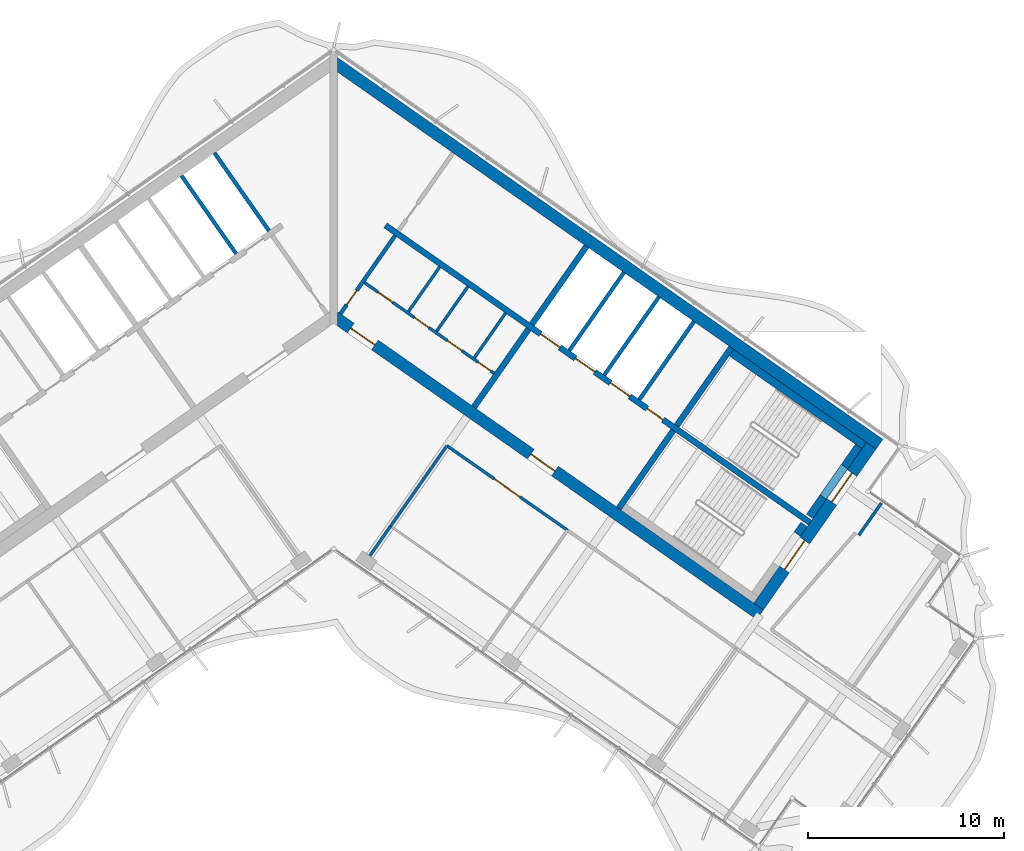
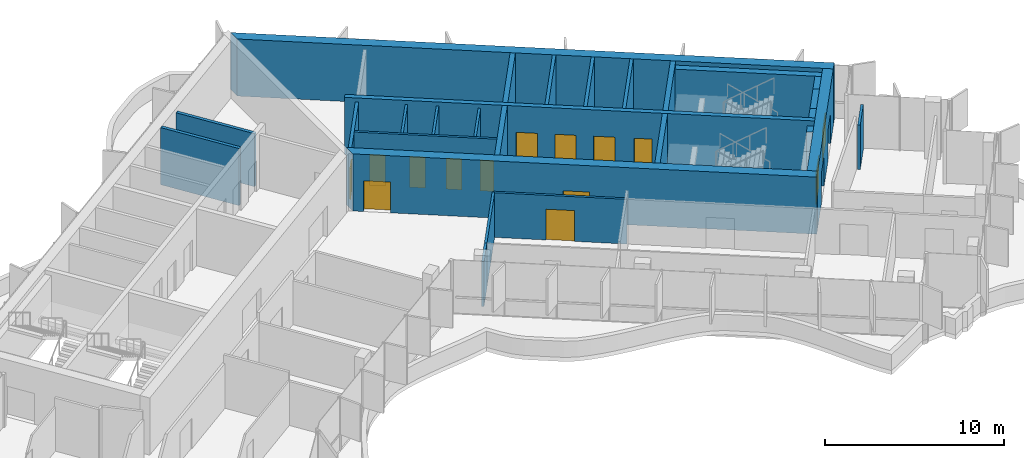
# One storey, part 13 of 20: 27 walls, 14 doors, 14 openings.
"""IFC4 building model written with IfcOpenShell, lengths in metres."""

from ifc_helpers import new_model, si_unit, direction, frame, frame_2d, origin, place, context, subcontext, project, spatial, polyline, rectangle, outline, extrude, material, layer, layer_set, type_object, element, fill, save


model = new_model("IFC4")

# Units and contexts
model_context = context("Model", 3, precision=1e-05, world=origin(), true_north=direction((0.0, 1.0)))
body_context = subcontext(model_context, "Body", "Model", "MODEL_VIEW")
ifc_project = project(units=[si_unit("LENGTHUNIT", "METRE"), si_unit("AREAUNIT", "SQUARE_METRE"), si_unit("VOLUMEUNIT", "CUBIC_METRE"), si_unit("PLANEANGLEUNIT", "RADIAN"), si_unit("MASSUNIT", "GRAM", prefix="KILO")], contexts=[model_context])

# Site, building, storey
site_placement = place(None, origin())
site = spatial("IfcSite", under=ifc_project, at=site_placement, CompositionType="ELEMENT")
building_placement = place(site_placement, origin())
building = spatial("IfcBuilding", under=site, at=building_placement, Name="Tel Ilan Convention Tower", CompositionType="ELEMENT")
storey_placement = place(building_placement, frame((0.0, 0.0, 237.10009765625)))
storey = spatial("IfcBuildingStorey", under=building, at=storey_placement, Name="L55", CompositionType="ELEMENT", Elevation=237.10009765625)

# Wall, openings, doors
ifc_material_1 = material(Name="Gypsum Plasterboard on Steel Stud", Category="steel")
ifc_layer_1 = layer(ifc_material_1, 0.14990234375)
ifc_layer_set_1 = layer_set([ifc_layer_1], Name="Core Room Partition Wall 150 mm EI 60")
wall_type_1 = type_object("IfcWallType", Name="Core Room Partition Wall 150 mm EI 60", PredefinedType="PARTITIONING", material=ifc_layer_set_1)
wall_1_placement = place(storey_placement, frame((1.572998046875, 0.851806640625, 0.0), z_axis=(0.0, 0.0, 1.0), x_axis=(0.819160673808, -0.573564111924, 0.0)))
wall_1 = element("IfcWall", 1, at=wall_1_placement, inside=storey, type_object=wall_type_1, Name="L55 core wall wc-h1", PredefinedType="PARTITIONING", context=body_context, shape_type="SweptSolid", body=[
    extrude(rectangle(XDim=8.050048828125, YDim=0.14990234375, at=frame_2d((4.02490234375, 0.0))), origin(), (0.0, 0.0, 1.0), 3.619873046875),
])
opening_1_placement = place(wall_1_placement, frame((0.85009765625, 0.0, 0.0)))
opening_1 = element("IfcOpeningElement", 2, at=opening_1_placement, cuts=wall_1, Name="Opening CD4214", PredefinedType="OPENING", context=body_context, shape_type="SweptSolid", body=[
    extrude(rectangle(XDim=0.89990234375, YDim=2.10009765625, at=frame_2d((0.449951171875, 1.050048828125))), frame((0.0, 0.0849609375, 0.0), z_axis=(0.0, -1.0, 0.0), x_axis=(1.0, 0.0, 0.0)), (0.0, 0.0, 1.0), 0.169921875),
])
opening_2_placement = place(wall_1_placement, frame((3.10009765625, 0.0, 0.0)))
opening_2 = element("IfcOpeningElement", 3, at=opening_2_placement, cuts=wall_1, Name="Opening CD4211", PredefinedType="OPENING", context=body_context, shape_type="SweptSolid", body=[
    extrude(rectangle(XDim=0.89990234375, YDim=2.10009765625, at=frame_2d((0.449951171875, 1.050048828125))), frame((0.0, 0.0849609375, 0.0), z_axis=(0.0, -1.0, 0.0), x_axis=(1.0, 0.0, 0.0)), (0.0, 0.0, 1.0), 0.169921875),
])
opening_3_placement = place(wall_1_placement, frame((5.14990234375, 0.0, 0.0)))
opening_3 = element("IfcOpeningElement", 4, at=opening_3_placement, cuts=wall_1, Name="Opening CD4213", PredefinedType="OPENING", context=body_context, shape_type="SweptSolid", body=[
    extrude(rectangle(XDim=0.89990234375, YDim=2.10009765625, at=frame_2d((0.449951171875, 1.050048828125))), frame((0.0, 0.0849609375, 0.0), z_axis=(0.0, -1.0, 0.0), x_axis=(1.0, 0.0, 0.0)), (0.0, 0.0, 1.0), 0.169921875),
])
opening_4_placement = place(wall_1_placement, frame((7.050048828125, 0.0, 0.0)))
opening_4 = element("IfcOpeningElement", 5, at=opening_4_placement, cuts=wall_1, Name="Opening CD4212", PredefinedType="OPENING", context=body_context, shape_type="SweptSolid", body=[
    extrude(rectangle(XDim=0.800048828125, YDim=2.10009765625, at=frame_2d((0.39990234375, 1.050048828125))), frame((0.0, 0.0849609375, 0.0), z_axis=(0.0, -1.0, 0.0), x_axis=(1.0, 0.0, 0.0)), (0.0, 0.0, 1.0), 0.169921875),
])
ifc_material_2 = material(Name="Galvanised Steel Door Leaf", Category="steel")
door_type_1 = type_object("IfcDoorType", Name="Store Door 800 x 2100 FD60", OperationType="NOTDEFINED", PredefinedType="DOOR", material=ifc_material_2)
door_1_placement = place(opening_4_placement, origin())
door_1 = element("IfcDoor", 6, at=door_1_placement, inside=storey, type_object=door_type_1, Name="Cleaner's store door", OperationType="SINGLE_SWING_RIGHT", OverallHeight=2.10009765625, OverallWidth=0.800048828125, PredefinedType="DOOR", context=body_context, shape_type="SweptSolid", body=[
    extrude(rectangle(XDim=0.800048828125, YDim=2.10009765625, at=frame_2d((0.39990234375, 1.050048828125))), frame((0.0, 0.02490234375, 0.0), z_axis=(0.0, -1.0, 0.0), x_axis=(1.0, 0.0, 0.0)), (0.0, 0.0, 1.0), 0.050048828125),
])
fill(opening_4, door_1)
ifc_material_3 = material(Name="Laminated Timber Door Leaf", Category="wood")
door_type_2 = type_object("IfcDoorType", Name="Toilet Door 900 x 2100 FD30S", OperationType="NOTDEFINED", PredefinedType="DOOR", material=ifc_material_3)
door_2_placement = place(opening_1_placement, origin())
door_2 = element("IfcDoor", 7, at=door_2_placement, inside=storey, type_object=door_type_2, Name="Women's WC door", OperationType="SINGLE_SWING_RIGHT", OverallHeight=2.10009765625, OverallWidth=0.89990234375, PredefinedType="DOOR", context=body_context, shape_type="SweptSolid", body=[
    extrude(rectangle(XDim=0.89990234375, YDim=2.10009765625, at=frame_2d((0.449951171875, 1.050048828125))), frame((0.0, 0.02490234375, 0.0), z_axis=(0.0, -1.0, 0.0), x_axis=(1.0, 0.0, 0.0)), (0.0, 0.0, 1.0), 0.050048828125),
])
fill(opening_1, door_2)
door_3_placement = place(opening_2_placement, origin())
door_3 = element("IfcDoor", 8, at=door_3_placement, inside=storey, type_object=door_type_2, Name="Accessible WC door", OperationType="SINGLE_SWING_RIGHT", OverallHeight=2.10009765625, OverallWidth=0.89990234375, PredefinedType="DOOR", context=body_context, shape_type="SweptSolid", body=[
    extrude(rectangle(XDim=0.89990234375, YDim=2.10009765625, at=frame_2d((0.449951171875, 1.050048828125))), frame((0.0, 0.02490234375, 0.0), z_axis=(0.0, -1.0, 0.0), x_axis=(1.0, 0.0, 0.0)), (0.0, 0.0, 1.0), 0.050048828125),
])
fill(opening_2, door_3)
door_4_placement = place(opening_3_placement, origin())
door_4 = element("IfcDoor", 9, at=door_4_placement, inside=storey, type_object=door_type_2, Name="Men's WC door", OperationType="SINGLE_SWING_RIGHT", OverallHeight=2.10009765625, OverallWidth=0.89990234375, PredefinedType="DOOR", context=body_context, shape_type="SweptSolid", body=[
    extrude(rectangle(XDim=0.89990234375, YDim=2.10009765625, at=frame_2d((0.449951171875, 1.050048828125))), frame((0.0, 0.02490234375, 0.0), z_axis=(0.0, -1.0, 0.0), x_axis=(1.0, 0.0, 0.0)), (0.0, 0.0, 1.0), 0.050048828125),
])
fill(opening_3, door_4)

# Walls
wall_2_placement = place(storey_placement, frame((3.807373046875, -0.62109375, 0.0), z_axis=(0.0, 0.0, 1.0), x_axis=(0.573539102583, 0.819178184407, 0.0)))
element("IfcWall", 10, at=wall_2_placement, inside=storey, type_object=wall_type_1, Name="L55 core wall wc-v0", PredefinedType="PARTITIONING", context=body_context, shape_type="SweptSolid", body=[
    extrude(rectangle(XDim=2.77490234375, YDim=0.14990234375, at=frame_2d((1.387451171875, 0.0))), origin(), (0.0, 0.0, 1.0), 3.619873046875),
])
for number, where, z_axis, x_axis, name in (
    (11, (5.24072265625, -1.625, 0.0), (0.0, 0.0, 1.0), (0.573598137089, 0.81913684884, 0.0), "L55 core wall wc-v1"),
    (12, (7.165771484375, -2.972900390625, 0.0), (0.0, 0.0, 1.0), (0.573598137089, 0.81913684884, 0.0), "L55 core wall wc-v2"),
):
    element("IfcWall", number, at=place(storey_placement, frame(where, z_axis=z_axis, x_axis=x_axis)), inside=storey, type_object=wall_type_1, Name=name, PredefinedType="PARTITIONING", context=body_context, shape_type="SweptSolid", body=[
        extrude(rectangle(XDim=2.775146484375, YDim=0.14990234375, at=frame_2d((1.3876953125, 0.0))), origin(), (0.0, 0.0, 1.0), 3.619873046875),
    ])
ifc_material_4 = material(Name="Concrete C30/37", Category="concrete")
ifc_layer_2 = layer(ifc_material_4, 0.199951171875)
ifc_layer_set_2 = layer_set([ifc_layer_2], Name="Core Service Room Wall 200 mm C30/37")
wall_type_2 = type_object("IfcWallType", Name="Core Service Room Wall 200 mm C30/37", PredefinedType="SOLIDWALL", material=ifc_layer_set_2)
wall_3_placement = place(storey_placement, frame((-3.2978515625, 3.489501953125, 0.0), z_axis=(0.0, 0.0, 1.0), x_axis=(-0.573560315113, 0.819163332265, 0.0)))
element("IfcWall", 13, at=wall_3_placement, inside=storey, type_object=wall_type_2, Name="L55 core wall apex-W-b", PredefinedType="SOLIDWALL", context=body_context, shape_type="SweptSolid", body=[
    extrude(rectangle(XDim=4.849853515625, YDim=0.199951171875, at=frame_2d((2.4248046875, 0.0))), origin(), (0.0, 0.0, 1.0), 3.619873046875),
])

# Wall, opening, door
wall_4_placement = place(storey_placement, frame((0.343994140625, -0.729248046875, 0.0), z_axis=(0.0, 0.0, 1.0), x_axis=(0.573560315113, 0.819163332265, 0.0)))
wall_4 = element("IfcWall", 14, at=wall_4_placement, inside=storey, type_object=wall_type_2, Name="L55 core wall apex-E", PredefinedType="SOLIDWALL", context=body_context, shape_type="SweptSolid", body=[
    extrude(rectangle(XDim=4.849853515625, YDim=0.199951171875, at=frame_2d((2.4248046875, 0.0))), origin(), (0.0, 0.0, 1.0), 3.619873046875),
])
opening_5_placement = place(wall_4_placement, frame((0.550048828125, 0.0, 0.0)))
opening_5 = element("IfcOpeningElement", 15, at=opening_5_placement, cuts=wall_4, Name="Opening CD4201", PredefinedType="OPENING", context=body_context, shape_type="SweptSolid", body=[
    extrude(rectangle(XDim=0.89990234375, YDim=2.10009765625, at=frame_2d((0.449951171875, 1.050048828125))), frame((0.0, 0.10986328125, 0.0), z_axis=(0.0, -1.0, 0.0), x_axis=(1.0, 0.0, 0.0)), (0.0, 0.0, 1.0), 0.219970703125),
])
ifc_material_5 = material(Name="Galvanised Steel Door Leaf", Category="steel")
door_type_3 = type_object("IfcDoorType", Name="Service Room Door 900 x 2100 FD60", OperationType="NOTDEFINED", PredefinedType="DOOR", material=ifc_material_5)
door_5_placement = place(opening_5_placement, origin())
door_5 = element("IfcDoor", 16, at=door_5_placement, inside=storey, type_object=door_type_3, Name="Data Room door", OperationType="SINGLE_SWING_RIGHT", OverallHeight=2.10009765625, OverallWidth=0.89990234375, PredefinedType="DOOR", context=body_context, shape_type="SweptSolid", body=[
    extrude(rectangle(XDim=0.89990234375, YDim=2.10009765625, at=frame_2d((0.449951171875, 1.050048828125))), frame((0.0, 0.02490234375, 0.0), z_axis=(0.0, -1.0, 0.0), x_axis=(1.0, 0.0, 0.0)), (0.0, 0.0, 1.0), 0.050048828125),
])
fill(opening_5, door_5)

# Walls
ifc_material_6 = material(Name="Concrete C40/50", Category="concrete")
ifc_layer_3 = layer(ifc_material_6, 0.300048828125)
ifc_layer_set_3 = layer_set([ifc_layer_3], Name="Core Shear Wall 300 mm C40/50")
wall_type_3 = type_object("IfcWallType", Name="Core Shear Wall 300 mm C40/50", PredefinedType="SHEAR", material=ifc_layer_set_3)
wall_5_placement = place(storey_placement, frame((7.142822265625, -5.48974609375, 0.0), z_axis=(0.0, 0.0, 1.0), x_axis=(0.573617744349, 0.819123118565, 0.0)))
element("IfcWall", 17, at=wall_5_placement, inside=storey, type_object=wall_type_3, Name="L55 core wall E-cross1-1", PredefinedType="SHEAR", context=body_context, shape_type="SweptSolid", body=[
    extrude(outline(polyline([(0.0, 0.14990234375), (0.0, -0.150146484375), (4.85009765625, -0.14990234375), (4.85009765625, 0.150146484375), (0.0, 0.14990234375)])), origin(), (0.0, 0.0, 1.0), 3.89990234375),
])
wall_6_placement = place(storey_placement, frame((10.096923828125, -1.271240234375, 0.0), z_axis=(0.0, 0.0, 1.0), x_axis=(0.573560315113, 0.819163332265, 0.0)))
element("IfcWall", 18, at=wall_6_placement, inside=storey, type_object=wall_type_3, Name="L55 core wall E-cross1-2", PredefinedType="SHEAR", context=body_context, shape_type="SweptSolid", body=[
    extrude(outline(polyline([(4.849853515625, -0.150146484375), (4.849853515625, 0.14990234375), (0.0, 0.150146484375), (0.0, -0.14990234375), (4.849853515625, -0.150146484375)])), origin(), (0.0, 0.0, 1.0), 3.89990234375),
])
wall_7_placement = place(storey_placement, frame((14.515380859375, -10.652099609375, 0.0), z_axis=(0.0, 0.0, 1.0), x_axis=(0.573560315113, 0.819163332265, 0.0)))
element("IfcWall", 19, at=wall_7_placement, inside=storey, type_object=wall_type_3, Name="L55 core wall E-cross2-1", PredefinedType="SHEAR", context=body_context, shape_type="SweptSolid", body=[
    extrude(outline(polyline([(0.0, 0.150146484375), (0.0, -0.14990234375), (4.85009765625, -0.14990234375), (4.85009765625, 0.14990234375), (0.0, 0.150146484375)])), origin(), (0.0, 0.0, 1.0), 3.89990234375),
])
wall_8_placement = place(storey_placement, frame((17.46923828125, -6.433349609375, 0.0), z_axis=(0.0, 0.0, 1.0), x_axis=(0.573594092424, 0.81913968109, 0.0)))
element("IfcWall", 20, at=wall_8_placement, inside=storey, type_object=wall_type_3, Name="L55 core wall E-cross2-2", PredefinedType="SHEAR", context=body_context, shape_type="SweptSolid", body=[
    extrude(outline(polyline([(4.849853515625, -0.14990234375), (4.849853515625, 0.150146484375), (0.0, 0.14990234375), (0.0, -0.14990234375), (4.849853515625, -0.14990234375)])), origin(), (0.0, 0.0, 1.0), 3.89990234375),
])

# Wall, openings, doors
wall_9_placement = place(storey_placement, frame((2.638427734375, 3.76806640625, 0.0), z_axis=(0.0, 0.0, 1.0), x_axis=(0.819155014212, -0.573572194837, 0.0)))
wall_9 = element("IfcWall", 21, at=wall_9_placement, inside=storey, type_object=wall_type_3, Name="L55 core wall E-spine", PredefinedType="SHEAR", context=body_context, shape_type="SweptSolid", body=[
    extrude(outline(polyline([(0.0, 0.150146484375), (0.0, -0.14990234375), (26.39990234375, -0.150146484375), (26.39990234375, 0.14990234375), (0.0, 0.150146484375)])), origin(), (0.0, 0.0, 1.0), 3.89990234375),
])
opening_6_placement = place(wall_9_placement, frame((9.637451171875, 0.0, 0.0)))
opening_6 = element("IfcOpeningElement", 22, at=opening_6_placement, cuts=wall_9, Name="Opening LD4201", PredefinedType="OPENING", context=body_context, shape_type="SweptSolid", body=[
    extrude(rectangle(XDim=1.199951171875, YDim=2.10009765625, at=frame_2d((0.60009765625, 1.050048828125))), frame((0.0, 0.159912109375, 0.0), z_axis=(0.0, -1.0, 0.0), x_axis=(1.0, 0.0, 0.0)), (0.0, 0.0, 1.0), 0.320068359375),
])
opening_7_placement = place(wall_9_placement, frame((11.8125, 0.0, 0.0)))
opening_7 = element("IfcOpeningElement", 23, at=opening_7_placement, cuts=wall_9, Name="Opening LD4202", PredefinedType="OPENING", context=body_context, shape_type="SweptSolid", body=[
    extrude(rectangle(XDim=1.199951171875, YDim=2.10009765625, at=frame_2d((0.60009765625, 1.050048828125))), frame((0.0, 0.159912109375, 0.0), z_axis=(0.0, -1.0, 0.0), x_axis=(1.0, 0.0, 0.0)), (0.0, 0.0, 1.0), 0.320068359375),
])
opening_8_placement = place(wall_9_placement, frame((13.987548828125, 0.0, 0.0)))
opening_8 = element("IfcOpeningElement", 24, at=opening_8_placement, cuts=wall_9, Name="Opening LD4203", PredefinedType="OPENING", context=body_context, shape_type="SweptSolid", body=[
    extrude(rectangle(XDim=1.199951171875, YDim=2.10009765625, at=frame_2d((0.60009765625, 1.050048828125))), frame((0.0, 0.159912109375, 0.0), z_axis=(0.0, -1.0, 0.0), x_axis=(1.0, 0.0, 0.0)), (0.0, 0.0, 1.0), 0.320068359375),
])
opening_9_placement = place(wall_9_placement, frame((16.262451171875, 0.0, 0.0)))
opening_9 = element("IfcOpeningElement", 25, at=opening_9_placement, cuts=wall_9, Name="Opening CD4208", PredefinedType="OPENING", context=body_context, shape_type="SweptSolid", body=[
    extrude(rectangle(XDim=1.0, YDim=2.10009765625, at=frame_2d((0.5, 1.050048828125))), frame((0.0, 0.159912109375, 0.0), z_axis=(0.0, -1.0, 0.0), x_axis=(1.0, 0.0, 0.0)), (0.0, 0.0, 1.0), 0.320068359375),
])
ifc_material_7 = material(Name="Stainless Steel Sliding Door Leaf", Category="steel")
door_type_4 = type_object("IfcDoorType", Name="Lift Landing Door 1200 x 2100 FD120", OperationType="NOTDEFINED", PredefinedType="DOOR", material=ifc_material_7)
door_6_placement = place(opening_6_placement, origin())
door_6 = element("IfcDoor", 26, at=door_6_placement, inside=storey, type_object=door_type_4, Name="Lift FL1 landing door", OperationType="SLIDING_TO_LEFT", OverallHeight=2.10009765625, OverallWidth=1.199951171875, PredefinedType="DOOR", context=body_context, shape_type="SweptSolid", body=[
    extrude(rectangle(XDim=1.199951171875, YDim=2.10009765625, at=frame_2d((0.60009765625, 1.050048828125))), frame((0.0, 0.02490234375, 0.0), z_axis=(0.0, -1.0, 0.0), x_axis=(1.0, 0.0, 0.0)), (0.0, 0.0, 1.0), 0.050048828125),
])
fill(opening_6, door_6)
door_7_placement = place(opening_7_placement, origin())
door_7 = element("IfcDoor", 27, at=door_7_placement, inside=storey, type_object=door_type_4, Name="Lift FL2 landing door", OperationType="SLIDING_TO_RIGHT", OverallHeight=2.10009765625, OverallWidth=1.199951171875, PredefinedType="DOOR", context=body_context, shape_type="SweptSolid", body=[
    extrude(rectangle(XDim=1.199951171875, YDim=2.10009765625, at=frame_2d((0.60009765625, 1.050048828125))), frame((0.0, 0.02490234375, 0.0), z_axis=(0.0, -1.0, 0.0), x_axis=(1.0, 0.0, 0.0)), (0.0, 0.0, 1.0), 0.050048828125),
])
fill(opening_7, door_7)
door_8_placement = place(opening_8_placement, origin())
door_8 = element("IfcDoor", 28, at=door_8_placement, inside=storey, type_object=door_type_4, Name="Lift FL3 landing door", OperationType="SLIDING_TO_LEFT", OverallHeight=2.10009765625, OverallWidth=1.199951171875, PredefinedType="DOOR", context=body_context, shape_type="SweptSolid", body=[
    extrude(rectangle(XDim=1.199951171875, YDim=2.10009765625, at=frame_2d((0.60009765625, 1.050048828125))), frame((0.0, 0.02490234375, 0.0), z_axis=(0.0, -1.0, 0.0), x_axis=(1.0, 0.0, 0.0)), (0.0, 0.0, 1.0), 0.050048828125),
])
fill(opening_8, door_8)
ifc_material_8 = material(Name="Galvanised Steel Door Leaf", Category="steel")
door_type_5 = type_object("IfcDoorType", Name="Service Room Door 1000 x 2100 FD60", OperationType="NOTDEFINED", PredefinedType="DOOR", material=ifc_material_8)
door_9_placement = place(opening_9_placement, origin())
door_9 = element("IfcDoor", 29, at=door_9_placement, inside=storey, type_object=door_type_5, Name="Plant Room door", OperationType="SINGLE_SWING_RIGHT", OverallHeight=2.10009765625, OverallWidth=1.0, PredefinedType="DOOR", context=body_context, shape_type="SweptSolid", body=[
    extrude(rectangle(XDim=1.0, YDim=2.10009765625, at=frame_2d((0.5, 1.050048828125))), frame((0.0, 0.02490234375, 0.0), z_axis=(0.0, -1.0, 0.0), x_axis=(1.0, 0.0, 0.0)), (0.0, 0.0, 1.0), 0.050048828125),
])
fill(opening_9, door_9)

# Wall
ifc_material_9 = material(Name="Concrete C40/50", Category="concrete")
ifc_layer_4 = layer(ifc_material_9, 0.60009765625)
ifc_layer_set_4 = layer_set([ifc_layer_4], Name="Core Shear Wall 600 mm C40/50")
wall_type_4 = type_object("IfcWallType", Name="Core Shear Wall 600 mm C40/50", PredefinedType="SHEAR", material=ifc_layer_set_4)
wall_10_placement = place(storey_placement, frame((0.02783203125, 12.066162109375, 0.0), z_axis=(0.0, 0.0, 1.0), x_axis=(0.819151382952, -0.573577380837, 0.0)))
element("IfcWall", 30, at=wall_10_placement, inside=storey, type_object=wall_type_4, Name="L55 core wall E-back", PredefinedType="SHEAR", context=body_context, shape_type="SweptSolid", body=[
    extrude(outline(polyline([(33.898193359375, 0.300048828125), (0.0, 0.300048828125), (0.420166015625, -0.300048828125), (33.89794921875, -0.300048828125), (33.898193359375, 0.300048828125)])), origin(), (0.0, 0.0, 1.0), 3.89990234375),
])

# Wall, openings, doors
wall_11_placement = place(storey_placement, frame((0.02783203125, -0.8740234375, 0.0), z_axis=(0.0, 0.0, 1.0), x_axis=(0.819150035022, -0.573579305871, 0.0)))
wall_11 = element("IfcWall", 31, at=wall_11_placement, inside=storey, type_object=wall_type_4, Name="L55 core wall E-front", PredefinedType="SHEAR", context=body_context, shape_type="SweptSolid", body=[
    extrude(outline(polyline([(26.475830078125, 0.300048828125), (0.000244140625, 0.300048828125), (0.420166015625, -0.300048828125), (26.475830078125, -0.2998046875), (26.475830078125, 0.300048828125)])), origin(), (0.0, 0.0, 1.0), 3.89990234375),
])
opening_10_placement = place(wall_11_placement, frame((1.02587890625, 0.0, 0.0)))
opening_10 = element("IfcOpeningElement", 32, at=opening_10_placement, cuts=wall_11, Name="Opening CD4204", PredefinedType="OPENING", context=body_context, shape_type="SweptSolid", body=[
    extrude(rectangle(XDim=1.5, YDim=2.10009765625, at=frame_2d((0.75, 1.050048828125))), frame((0.0, 0.31005859375, 0.0), z_axis=(0.0, -1.0, 0.0), x_axis=(1.0, 0.0, 0.0)), (0.0, 0.0, 1.0), 0.6201171875),
])
opening_11_placement = place(wall_11_placement, frame((12.225830078125, 0.0, 0.0)))
opening_11 = element("IfcOpeningElement", 33, at=opening_11_placement, cuts=wall_11, Name="Opening CD4205", PredefinedType="OPENING", context=body_context, shape_type="SweptSolid", body=[
    extrude(rectangle(XDim=1.5, YDim=2.10009765625, at=frame_2d((0.75, 1.050048828125))), frame((0.0, 0.31005859375, 0.0), z_axis=(0.0, -1.0, 0.0), x_axis=(1.0, 0.0, 0.0)), (0.0, 0.0, 1.0), 0.6201171875),
])
ifc_material_10 = material(Name="Glazed Aluminium Door Leaf", Category="aluminium")
door_type_6 = type_object("IfcDoorType", Name="Lobby Opening Door 1500 x 2100 FD60S", OperationType="NOTDEFINED", PredefinedType="DOOR", material=ifc_material_10)
door_10_placement = place(opening_11_placement, origin())
door_10 = element("IfcDoor", 34, at=door_10_placement, inside=storey, type_object=door_type_6, Name="Firefighting Lobby door", OperationType="DOUBLE_DOOR_SINGLE_SWING", OverallHeight=2.10009765625, OverallWidth=1.5, PredefinedType="DOOR", context=body_context, shape_type="SweptSolid", body=[
    extrude(rectangle(XDim=1.5, YDim=2.10009765625, at=frame_2d((0.75, 1.050048828125))), frame((0.0, 0.02490234375, 0.0), z_axis=(0.0, -1.0, 0.0), x_axis=(1.0, 0.0, 0.0)), (0.0, 0.0, 1.0), 0.050048828125),
])
fill(opening_11, door_10)
ifc_material_11 = material(Name="Laminated Timber Door Leaf", Category="wood")
door_type_7 = type_object("IfcDoorType", Name="Toilet Door 1500 x 2100 FD30S", OperationType="NOTDEFINED", PredefinedType="DOOR", material=ifc_material_11)
door_11_placement = place(opening_10_placement, origin())
door_11 = element("IfcDoor", 35, at=door_11_placement, inside=storey, type_object=door_type_7, Name="WC Lobby door", OperationType="SINGLE_SWING_RIGHT", OverallHeight=2.10009765625, OverallWidth=1.5, PredefinedType="DOOR", context=body_context, shape_type="SweptSolid", body=[
    extrude(rectangle(XDim=1.5, YDim=2.10009765625, at=frame_2d((0.75, 1.050048828125))), frame((0.0, 0.02490234375, 0.0), z_axis=(0.0, -1.0, 0.0), x_axis=(1.0, 0.0, 0.0)), (0.0, 0.0, 1.0), 0.050048828125),
])
fill(opening_10, door_11)

wall_12_placement = place(storey_placement, frame((21.641845703125, -15.64208984375, 0.0), z_axis=(0.0, 0.0, 1.0), x_axis=(0.573586866468, 0.819144740944, 0.0)))
wall_12 = element("IfcWall", 36, at=wall_12_placement, inside=storey, type_object=wall_type_4, Name="L55 core wall E-end", PredefinedType="SHEAR", context=body_context, shape_type="SweptSolid", body=[
    extrude(outline(polyline([(10.0, 0.300048828125), (0.0, 0.2998046875), (0.0, -0.300048828125), (10.0, -0.300048828125), (10.0, 0.300048828125)])), origin(), (0.0, 0.0, 1.0), 3.89990234375),
])
opening_12_placement = place(wall_12_placement, frame((6.5, 0.0, 0.0)))
opening_12 = element("IfcOpeningElement", 37, at=opening_12_placement, cuts=wall_12, Name="Opening SD4203", PredefinedType="OPENING", context=body_context, shape_type="SweptSolid", body=[
    extrude(rectangle(XDim=1.800048828125, YDim=2.10009765625, at=frame_2d((0.89990234375, 1.050048828125))), frame((0.0, 0.31005859375, 0.0), z_axis=(0.0, -1.0, 0.0), x_axis=(1.0, 0.0, 0.0)), (0.0, 0.0, 1.0), 0.6201171875),
])
opening_13_placement = place(wall_12_placement, frame((2.300048828125, 0.0, 0.0)))
opening_13 = element("IfcOpeningElement", 38, at=opening_13_placement, cuts=wall_12, Name="Opening SD4204", PredefinedType="OPENING", context=body_context, shape_type="SweptSolid", body=[
    extrude(rectangle(XDim=1.800048828125, YDim=2.10009765625, at=frame_2d((0.89990234375, 1.050048828125))), frame((0.0, 0.31005859375, 0.0), z_axis=(0.0, -1.0, 0.0), x_axis=(1.0, 0.0, 0.0)), (0.0, 0.0, 1.0), 0.6201171875),
])
ifc_material_12 = material(Name="Galvanised Steel Door Leaf", Category="steel")
door_type_8 = type_object("IfcDoorType", Name="Stair Fire Door 1800 x 2100 FD60S", OperationType="NOTDEFINED", PredefinedType="DOOR", material=ifc_material_12)
door_12_placement = place(opening_12_placement, origin())
door_12 = element("IfcDoor", 39, at=door_12_placement, inside=storey, type_object=door_type_8, Name="Stair S3 door", OperationType="DOUBLE_DOOR_SINGLE_SWING", OverallHeight=2.10009765625, OverallWidth=1.800048828125, PredefinedType="DOOR", context=body_context, shape_type="SweptSolid", body=[
    extrude(rectangle(XDim=1.800048828125, YDim=2.10009765625, at=frame_2d((0.89990234375, 1.050048828125))), frame((0.0, 0.02490234375, 0.0), z_axis=(0.0, -1.0, 0.0), x_axis=(1.0, 0.0, 0.0)), (0.0, 0.0, 1.0), 0.050048828125),
])
fill(opening_12, door_12)
door_13_placement = place(opening_13_placement, origin())
door_13 = element("IfcDoor", 40, at=door_13_placement, inside=storey, type_object=door_type_8, Name="Stair S4 door", OperationType="DOUBLE_DOOR_SINGLE_SWING", OverallHeight=2.10009765625, OverallWidth=1.800048828125, PredefinedType="DOOR", context=body_context, shape_type="SweptSolid", body=[
    extrude(rectangle(XDim=1.800048828125, YDim=2.10009765625, at=frame_2d((0.89990234375, 1.050048828125))), frame((0.0, 0.02490234375, 0.0), z_axis=(0.0, -1.0, 0.0), x_axis=(1.0, 0.0, 0.0)), (0.0, 0.0, 1.0), 0.050048828125),
])
fill(opening_13, door_13)

# Wall, opening, door
ifc_material_13 = material(Name="Plasterboard on Steel Studs", Category="steel")
ifc_layer_5 = layer(ifc_material_13, 0.14990234375)
ifc_layer_set_5 = layer_set([ifc_layer_5], Name="Fire-rated Partition 150 EI 60")
wall_type_5 = type_object("IfcWallType", Name="Fire-rated Partition 150 EI 60", PredefinedType="PARTITIONING", material=ifc_layer_set_5)
wall_13_placement = place(storey_placement, frame((11.91162109375, -11.7587890625, 0.0), z_axis=(0.0, 0.0, 1.0), x_axis=(-0.819150881364, 0.573578097177, 0.0)))
wall_13 = element("IfcWall", 41, at=wall_13_placement, inside=storey, type_object=wall_type_5, Name="Partition 003", PredefinedType="PARTITIONING", context=body_context, shape_type="SweptSolid", body=[
    extrude(rectangle(XDim=7.501953125, YDim=0.14990234375, at=frame_2d((3.7509765625, 0.0))), origin(), (0.0, 0.0, 1.0), 3.0498046875),
])
opening_14_placement = place(wall_13_placement, frame((2.950927734375, 0.0, 0.0)))
opening_14 = element("IfcOpeningElement", 42, at=opening_14_placement, cuts=wall_13, Name="Opening L53-009", PredefinedType="OPENING", context=body_context, shape_type="SweptSolid", body=[
    extrude(rectangle(XDim=1.60009765625, YDim=2.10009765625, at=frame_2d((0.800048828125, 1.050048828125))), frame((0.0, 0.0849609375, 0.0), z_axis=(0.0, -1.0, 0.0), x_axis=(1.0, 0.0, 0.0)), (0.0, 0.0, 1.0), 0.169921875),
])
ifc_material_14 = material(Name="Timber Door Leaf in Steel Frame", Category="steel")
door_type_9 = type_object("IfcDoorType", Name="Tenant Suite Entrance Fire Door 1600x2100", OperationType="NOTDEFINED", PredefinedType="DOOR", material=ifc_material_14)
door_14_placement = place(opening_14_placement, origin())
door_14 = element("IfcDoor", 43, at=door_14_placement, inside=storey, type_object=door_type_9, Name="Door L53-009", OperationType="DOUBLE_DOOR_SINGLE_SWING", OverallHeight=2.10009765625, OverallWidth=1.60009765625, PredefinedType="DOOR", context=body_context, shape_type="SweptSolid", body=[
    extrude(rectangle(XDim=1.60009765625, YDim=2.10009765625, at=frame_2d((0.800048828125, 1.050048828125))), frame((0.0, 0.02490234375, 0.0), z_axis=(0.0, -1.0, 0.0), x_axis=(1.0, 0.0, 0.0)), (0.0, 0.0, 1.0), 0.050048828125),
])
fill(opening_14, door_14)

# Walls
wall_14_placement = place(storey_placement, frame((26.74609375, -12.013671875, 0.0), z_axis=(0.0, 0.0, 1.0), x_axis=(0.573568836472, 0.819157365729, 0.0)))
element("IfcWall", 44, at=wall_14_placement, inside=storey, type_object=wall_type_5, Name="Partition 015", PredefinedType="PARTITIONING", context=body_context, shape_type="SweptSolid", body=[
    extrude(rectangle(XDim=2.000244140625, YDim=0.14990234375, at=frame_2d((1.0, 0.0))), origin(), (0.0, 0.0, 1.0), 3.0498046875),
])
wall_15_placement = place(storey_placement, frame((1.848876953125, -13.050537109375, 0.0), z_axis=(0.0, 0.0, 1.0), x_axis=(0.573623601139, 0.819119017125, 0.0)))
element("IfcWall", 45, at=wall_15_placement, inside=storey, type_object=wall_type_5, Name="Partition 018", PredefinedType="PARTITIONING", context=body_context, shape_type="SweptSolid", body=[
    extrude(rectangle(XDim=1.828857421875, YDim=0.14990234375, at=frame_2d((0.91455078125, 0.0))), origin(), (0.0, 0.0, 1.0), 3.0498046875),
])
wall_16_placement = place(storey_placement, frame((2.8984375, -11.551513671875, 0.0), z_axis=(0.0, 0.0, 1.0), x_axis=(0.573586866468, 0.819144740944, 0.0)))
element("IfcWall", 46, at=wall_16_placement, inside=storey, type_object=wall_type_5, Name="Partition 020", PredefinedType="PARTITIONING", context=body_context, shape_type="SweptSolid", body=[
    extrude(rectangle(XDim=5.0, YDim=0.14990234375, at=frame_2d((2.5, 0.0))), origin(), (0.0, 0.0, 1.0), 3.0498046875),
])
ifc_material_15 = material(Name="Concrete C30/37", Category="concrete")
ifc_layer_6 = layer(ifc_material_15, 0.199951171875)
ifc_layer_set_6 = layer_set([ifc_layer_6], Name="Lift Shaft Wall 200 mm C30/37")
wall_type_6 = type_object("IfcWallType", Name="Lift Shaft Wall 200 mm C30/37", PredefinedType="SOLIDWALL", material=ifc_layer_set_6)
wall_17_placement = place(storey_placement, frame((-4.966796875, 2.32080078125, 0.0), z_axis=(0.0, 0.0, 1.0), x_axis=(-0.573594092424, 0.81913968109, 0.0)))
element("IfcWall", 47, at=wall_17_placement, inside=storey, type_object=wall_type_6, Name="L55 core wall bank-W1-p0", PredefinedType="SOLIDWALL", context=body_context, shape_type="SweptSolid", body=[
    extrude(rectangle(XDim=4.85009765625, YDim=0.199951171875, at=frame_2d((2.425048828125, 0.0))), origin(), (0.0, 0.0, 1.0), 3.89990234375),
])
wall_18_placement = place(storey_placement, frame((12.00146484375, -2.604736328125, 0.0), z_axis=(0.0, 0.0, 1.0), x_axis=(0.573560315113, 0.819163332265, 0.0)))
element("IfcWall", 48, at=wall_18_placement, inside=storey, type_object=wall_type_6, Name="L55 core wall bank-E2-p0", PredefinedType="SOLIDWALL", context=body_context, shape_type="SweptSolid", body=[
    extrude(rectangle(XDim=4.849853515625, YDim=0.199951171875, at=frame_2d((2.4248046875, 0.0))), origin(), (0.0, 0.0, 1.0), 3.89990234375),
])
wall_19_placement = place(storey_placement, frame((13.782958984375, -3.852294921875, 0.0), z_axis=(0.0, 0.0, 1.0), x_axis=(0.573594092424, 0.81913968109, 0.0)))
element("IfcWall", 49, at=wall_19_placement, inside=storey, type_object=wall_type_6, Name="L55 core wall bank-E2-p1", PredefinedType="SOLIDWALL", context=body_context, shape_type="SweptSolid", body=[
    extrude(rectangle(XDim=4.85009765625, YDim=0.199951171875, at=frame_2d((2.425048828125, 0.0))), origin(), (0.0, 0.0, 1.0), 3.89990234375),
])
wall_20_placement = place(storey_placement, frame((15.564697265625, -5.099853515625, 0.0), z_axis=(0.0, 0.0, 1.0), x_axis=(0.573560315113, 0.819163332265, 0.0)))
element("IfcWall", 50, at=wall_20_placement, inside=storey, type_object=wall_type_6, Name="L55 core wall bank-E2-p2", PredefinedType="SOLIDWALL", context=body_context, shape_type="SweptSolid", body=[
    extrude(rectangle(XDim=4.849853515625, YDim=0.199951171875, at=frame_2d((2.4248046875, 0.0))), origin(), (0.0, 0.0, 1.0), 3.89990234375),
])
ifc_material_16 = material(Name="Concrete C30/37", Category="concrete")
ifc_layer_7 = layer(ifc_material_16, 0.39990234375)
ifc_layer_set_7 = layer_set([ifc_layer_7], Name="Stair and Shaft Lining Wall 400 mm C30/37")
wall_type_7 = type_object("IfcWallType", Name="Stair and Shaft Lining Wall 400 mm C30/37", PredefinedType="SOLIDWALL", material=ifc_layer_set_7)
wall_21_placement = place(storey_placement, frame((20.25927734375, -2.71044921875, 0.0), z_axis=(0.0, 0.0, 1.0), x_axis=(0.81914849389, -0.573581506813, 0.0)))
element("IfcWall", 51, at=wall_21_placement, inside=storey, type_object=wall_type_7, Name="L55 core wall lining-S3-t1", PredefinedType="SOLIDWALL", context=body_context, shape_type="SweptSolid", body=[
    extrude(rectangle(XDim=8.249755859375, YDim=0.39990234375, at=frame_2d((4.125, 0.0))), origin(), (0.0, 0.0, 1.0), 3.619873046875),
])
wall_22_placement = place(storey_placement, frame((24.24365234375, -11.0546875, 0.0), z_axis=(0.0, 0.0, 1.0), x_axis=(0.573571582932, 0.819155442668, 0.0)))
element("IfcWall", 52, at=wall_22_placement, inside=storey, type_object=wall_type_7, Name="L55 core wall lining-S3-u1-0", PredefinedType="SOLIDWALL", context=body_context, shape_type="SweptSolid", body=[
    extrude(rectangle(XDim=1.199951171875, YDim=0.39990234375, at=frame_2d((0.60009765625, 0.0))), origin(), (0.0, 0.0, 1.0), 3.619873046875),
])
wall_23_placement = place(storey_placement, frame((26.021728515625, -8.515380859375, 0.0), z_axis=(0.0, 0.0, 1.0), x_axis=(0.573619628835, 0.819121798889, 0.0)))
element("IfcWall", 53, at=wall_23_placement, inside=storey, type_object=wall_type_7, Name="L55 core wall lining-S3-u1-1", PredefinedType="SOLIDWALL", context=body_context, shape_type="SweptSolid", body=[
    extrude(rectangle(XDim=1.25, YDim=0.39990234375, at=frame_2d((0.625, 0.0))), origin(), (0.0, 0.0, 1.0), 3.619873046875),
])
wall_24_placement = place(storey_placement, frame((24.931884765625, -10.07177734375, 2.14990234375), z_axis=(0.0, 0.0, 1.0), x_axis=(0.573591692345, 0.819141361715, 0.0)))
element("IfcWall", 54, at=wall_24_placement, inside=storey, type_object=wall_type_7, Name="L55 core wall lining-S3-u1-lintel", PredefinedType="SOLIDWALL", context=body_context, shape_type="SweptSolid", body=[
    extrude(rectangle(XDim=1.900146484375, YDim=0.39990234375, at=frame_2d((0.9501953125, 0.0))), origin(), (0.0, 0.0, 1.0), 1.469970703125),
])
wall_25_placement = place(storey_placement, frame((23.61279296875, -11.955810546875, 0.0), z_axis=(0.0, 0.0, 1.0), x_axis=(0.573435029941, 0.819251039936, 0.0)))
element("IfcWall", 55, at=wall_25_placement, inside=storey, type_object=wall_type_7, Name="L55 core wall lining-S4-u1-1", PredefinedType="SOLIDWALL", context=body_context, shape_type="SweptSolid", body=[
    extrude(rectangle(XDim=0.599853515625, YDim=0.39990234375, at=frame_2d((0.2998046875, 0.0))), origin(), (0.0, 0.0, 1.0), 3.619873046875),
])

save(model, "model.ifc")
